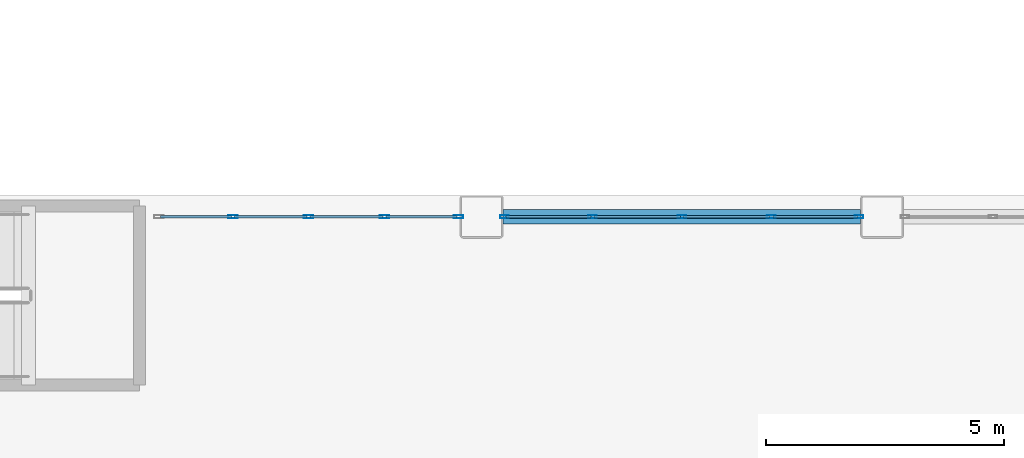
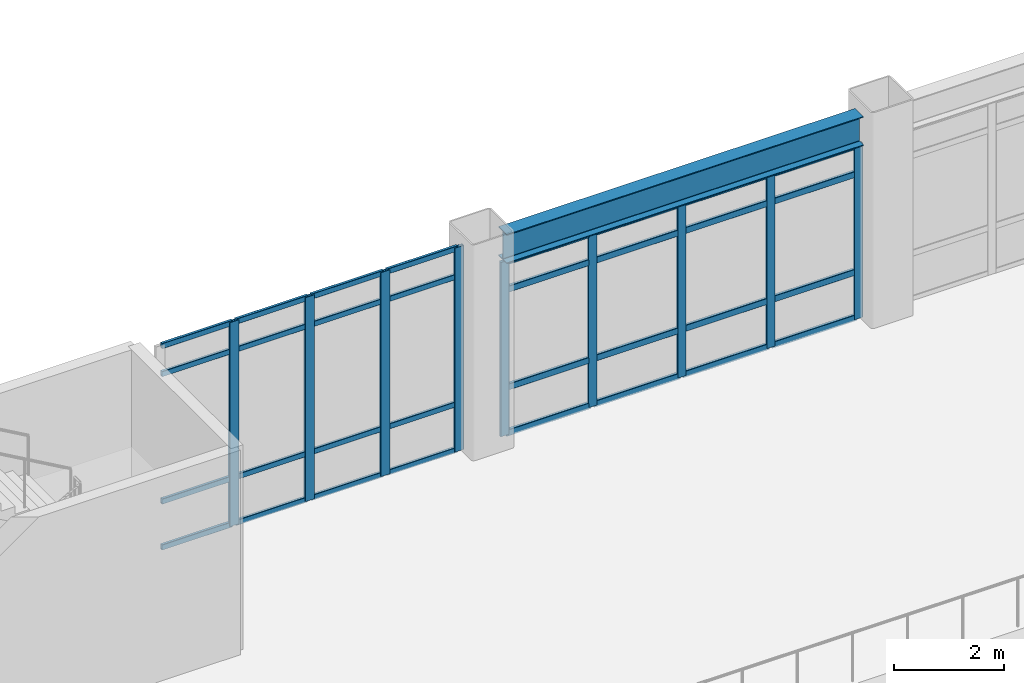
# One storey, part 69 of 172: 41 members, 1 beam, 2 elements without a shape of their own.
"""IFC4 building model written with IfcOpenShell, lengths in metres."""

from ifc_helpers import new_model, si_unit, direction, frame, origin, origin_2d, place, context, subcontext, project, spatial, hollow_rectangle, i_section, extrude, material, layer, layer_set, material_profile, profile_set, type_object, element, aggregate, save


model = new_model("IFC4")

# Units and contexts
model_context = context("Model", 3, precision=1e-05, world=origin(), true_north=direction((0.0, 1.0)))
body_context = subcontext(model_context, "Body", "Model", "MODEL_VIEW")
ifc_project = project(units=[si_unit("LENGTHUNIT", "METRE"), si_unit("AREAUNIT", "SQUARE_METRE"), si_unit("VOLUMEUNIT", "CUBIC_METRE"), si_unit("PLANEANGLEUNIT", "RADIAN"), si_unit("MASSUNIT", "GRAM", prefix="KILO")], contexts=[model_context])

# Site, building, storey
site_placement = place(None, origin())
site = spatial("IfcSite", under=ifc_project, at=site_placement, CompositionType="ELEMENT")
building_placement = place(site_placement, origin())
building = spatial("IfcBuilding", under=site, at=building_placement, Name="Kazehara Bluff Congress Hotel", CompositionType="ELEMENT")
storey_placement = place(building_placement, frame((0.0, 0.0, 5.39990234375)))
storey = spatial("IfcBuildingStorey", under=building, at=storey_placement, Name="L01", CompositionType="ELEMENT", Elevation=5.39990234375)

# Curtain wall, members
ifc_material_1 = material(Name="Anodised aluminium", Category="aluminium")
ifc_layer_1 = layer(ifc_material_1, 0.159912109375)
ifc_layer_set_1 = layer_set([ifc_layer_1], Name="Anodised aluminium")
curtain_wall_type_1 = type_object("IfcCurtainWallType", Name="TP-CW-08", PredefinedType="NOTDEFINED", material=ifc_layer_set_1)
curtain_wall_1_placement = place(storey_placement, origin())
curtain_wall_1 = element("IfcCurtainWall", 1, at=curtain_wall_1_placement, inside=storey, type_object=curtain_wall_type_1, Name="L01 curtain wall CW-08 CW-V1-L01-Y11355-2565", PredefinedType="NOTDEFINED")
ifc_material_2 = material(Name="Anodised aluminium", Category="aluminium")
ifc_material_profile_1 = material_profile(ifc_material_2, hollow_rectangle(XDim=0.06494140625, YDim=0.179931640625, WallThickness=0.00390625, InnerFilletRadius=0.00390625, OuterFilletRadius=0.008056640625, at=origin_2d()))
ifc_profile_set_1 = profile_set([ifc_material_profile_1], Name="Anodised aluminium")
member_type_1 = type_object("IfcMemberType", Name="TP-CWM-02", PredefinedType="MULLION", material=ifc_profile_set_1)
member_1_placement = place(storey_placement, frame((25.6826171875, 113.550048828125, 0.0), z_axis=(0.0, 0.0, 1.0), x_axis=(0.0, 1.0, 0.0)))
member_1 = element("IfcMember", 2, at=member_1_placement, type_object=member_type_1, Name="CW-08 mullion 1", PredefinedType="MULLION", context=body_context, shape_type="SweptSolid", body=[
    extrude(hollow_rectangle(XDim=0.06494140625, YDim=0.179931640625, WallThickness=0.00390625, InnerFilletRadius=0.00390625, OuterFilletRadius=0.008056640625, at=origin_2d()), origin(), (0.0, 0.0, 1.0), 3.875),
])
member_2_placement = place(storey_placement, frame((27.52490234375, 113.550048828125, 0.0), z_axis=(0.0, 0.0, 1.0), x_axis=(0.0, 1.0, 0.0)))
member_2 = element("IfcMember", 3, at=member_2_placement, type_object=member_type_1, Name="CW-08 mullion 2", PredefinedType="MULLION", context=body_context, shape_type="SweptSolid", body=[
    extrude(hollow_rectangle(XDim=0.06494140625, YDim=0.179931640625, WallThickness=0.00390625, InnerFilletRadius=0.00390625, OuterFilletRadius=0.008056640625, at=origin_2d()), origin(), (0.0, 0.0, 1.0), 3.875),
])
member_3_placement = place(storey_placement, frame((29.39990234375, 113.550048828125, 0.0), z_axis=(0.0, 0.0, 1.0), x_axis=(0.0, 1.0, 0.0)))
member_3 = element("IfcMember", 4, at=member_3_placement, type_object=member_type_1, Name="CW-08 mullion 3", PredefinedType="MULLION", context=body_context, shape_type="SweptSolid", body=[
    extrude(hollow_rectangle(XDim=0.06494140625, YDim=0.179931640625, WallThickness=0.00390625, InnerFilletRadius=0.00390625, OuterFilletRadius=0.008056640625, at=origin_2d()), origin(), (0.0, 0.0, 1.0), 3.875),
])
member_4_placement = place(storey_placement, frame((31.27490234375, 113.550048828125, 0.0), z_axis=(0.0, 0.0, 1.0), x_axis=(0.0, 1.0, 0.0)))
member_4 = element("IfcMember", 5, at=member_4_placement, type_object=member_type_1, Name="CW-08 mullion 4", PredefinedType="MULLION", context=body_context, shape_type="SweptSolid", body=[
    extrude(hollow_rectangle(XDim=0.06494140625, YDim=0.179931640625, WallThickness=0.00390625, InnerFilletRadius=0.00390625, OuterFilletRadius=0.008056640625, at=origin_2d()), origin(), (0.0, 0.0, 1.0), 3.875),
])
member_5_placement = place(storey_placement, frame((33.117431640625, 113.550048828125, 0.0), z_axis=(0.0, 0.0, 1.0), x_axis=(0.0, 1.0, 0.0)))
member_5 = element("IfcMember", 6, at=member_5_placement, type_object=member_type_1, Name="CW-08 mullion 5", PredefinedType="MULLION", context=body_context, shape_type="SweptSolid", body=[
    extrude(hollow_rectangle(XDim=0.06494140625, YDim=0.179931640625, WallThickness=0.00390625, InnerFilletRadius=0.00390625, OuterFilletRadius=0.008056640625, at=origin_2d()), origin(), (0.0, 0.0, 1.0), 3.875),
])

ifc_material_3 = material(Name="Anodised aluminium", Category="aluminium")
ifc_layer_2 = layer(ifc_material_3, 0.159912109375)
ifc_layer_set_2 = layer_set([ifc_layer_2], Name="Anodised aluminium")
curtain_wall_type_2 = type_object("IfcCurtainWallType", Name="TP-CW-07", PredefinedType="NOTDEFINED", material=ifc_layer_set_2)
curtain_wall_2_placement = place(storey_placement, origin())
curtain_wall_2 = element("IfcCurtainWall", 7, at=curtain_wall_2_placement, inside=storey, type_object=curtain_wall_type_2, Name="L01 curtain wall CW-07 CW-V1-L01-Y11355-1840", PredefinedType="NOTDEFINED")
ifc_material_4 = material(Name="Anodised aluminium", Category="aluminium")
ifc_material_profile_2 = material_profile(ifc_material_4, hollow_rectangle(XDim=0.070068359375, YDim=0.199951171875, WallThickness=0.0048828125, InnerFilletRadius=0.0048828125, OuterFilletRadius=0.010009765625, at=origin_2d()))
ifc_profile_set_2 = profile_set([ifc_material_profile_2], Name="Anodised aluminium")
member_type_2 = type_object("IfcMemberType", Name="TP-CWM-03", PredefinedType="MULLION", material=ifc_profile_set_2)
member_6_placement = place(storey_placement, frame((19.987548828125, 113.550048828125, 0.0), z_axis=(0.0, 0.0, 1.0), x_axis=(0.0, 1.0, 0.0)))
member_6 = element("IfcMember", 8, at=member_6_placement, type_object=member_type_2, Name="CW-07 mullion 2", PredefinedType="MULLION", context=body_context, shape_type="SweptSolid", body=[
    extrude(hollow_rectangle(XDim=0.070068359375, YDim=0.199951171875, WallThickness=0.0048828125, InnerFilletRadius=0.0048828125, OuterFilletRadius=0.010009765625, at=origin_2d()), origin(), (0.0, 0.0, 1.0), 4.53515625),
])
member_7_placement = place(storey_placement, frame((21.574951171875, 113.550048828125, 0.0), z_axis=(0.0, 0.0, 1.0), x_axis=(0.0, 1.0, 0.0)))
member_7 = element("IfcMember", 9, at=member_7_placement, type_object=member_type_2, Name="CW-07 mullion 3", PredefinedType="MULLION", context=body_context, shape_type="SweptSolid", body=[
    extrude(hollow_rectangle(XDim=0.070068359375, YDim=0.199951171875, WallThickness=0.0048828125, InnerFilletRadius=0.0048828125, OuterFilletRadius=0.010009765625, at=origin_2d()), origin(), (0.0, 0.0, 1.0), 4.53515625),
])
member_8_placement = place(storey_placement, frame((23.16259765625, 113.550048828125, 0.0), z_axis=(0.0, 0.0, 1.0), x_axis=(0.0, 1.0, 0.0)))
member_8 = element("IfcMember", 10, at=member_8_placement, type_object=member_type_2, Name="CW-07 mullion 4", PredefinedType="MULLION", context=body_context, shape_type="SweptSolid", body=[
    extrude(hollow_rectangle(XDim=0.070068359375, YDim=0.199951171875, WallThickness=0.0048828125, InnerFilletRadius=0.0048828125, OuterFilletRadius=0.010009765625, at=origin_2d()), origin(), (0.0, 0.0, 1.0), 4.53515625),
])
member_9_placement = place(storey_placement, frame((24.715087890625, 113.550048828125, 0.0), z_axis=(0.0, 0.0, 1.0), x_axis=(0.0, 1.0, 0.0)))
member_9 = element("IfcMember", 11, at=member_9_placement, type_object=member_type_2, Name="CW-07 mullion 5", PredefinedType="MULLION", context=body_context, shape_type="SweptSolid", body=[
    extrude(hollow_rectangle(XDim=0.070068359375, YDim=0.199951171875, WallThickness=0.0048828125, InnerFilletRadius=0.0048828125, OuterFilletRadius=0.010009765625, at=origin_2d()), origin(), (0.0, 0.0, 1.0), 4.53515625),
])
ifc_material_5 = material(Name="Anodised aluminium", Category="aluminium")
ifc_material_profile_3 = material_profile(ifc_material_5, hollow_rectangle(XDim=0.06005859375, YDim=0.1201171875, WallThickness=0.00390625, InnerFilletRadius=0.00390625, OuterFilletRadius=0.008056640625, at=origin_2d()))
ifc_profile_set_3 = profile_set([ifc_material_profile_3], Name="Anodised aluminium")
member_type_3 = type_object("IfcMemberType", Name="TP-CWT-01", PredefinedType="USERDEFINED", material=ifc_profile_set_3)
member_10_placement = place(storey_placement, frame((18.469970703125, 113.550048828125, 0.030029296875), z_axis=(1.0, 0.0, 0.0), x_axis=(0.0, 1.0, 0.0)))
member_10 = element("IfcMember", 12, at=member_10_placement, type_object=member_type_3, Name="CW-07 transom 1.1", ObjectType="TRANSOM", PredefinedType="USERDEFINED", context=body_context, shape_type="SweptSolid", body=[
    extrude(hollow_rectangle(XDim=0.06005859375, YDim=0.1201171875, WallThickness=0.00390625, InnerFilletRadius=0.00390625, OuterFilletRadius=0.008056640625, at=origin_2d()), origin(), (0.0, 0.0, 1.0), 1.482421875),
])
member_11_placement = place(storey_placement, frame((18.469970703125, 113.550048828125, 1.050048828125), z_axis=(1.0, 0.0, 0.0), x_axis=(0.0, 1.0, 0.0)))
member_11 = element("IfcMember", 13, at=member_11_placement, type_object=member_type_3, Name="CW-07 transom 1.2", ObjectType="TRANSOM", PredefinedType="USERDEFINED", context=body_context, shape_type="SweptSolid", body=[
    extrude(hollow_rectangle(XDim=0.06005859375, YDim=0.1201171875, WallThickness=0.00390625, InnerFilletRadius=0.00390625, OuterFilletRadius=0.008056640625, at=origin_2d()), origin(), (0.0, 0.0, 1.0), 1.482421875),
])
member_12_placement = place(storey_placement, frame((18.469970703125, 113.550048828125, 3.885009765625), z_axis=(1.0, 0.0, 0.0), x_axis=(0.0, 1.0, 0.0)))
member_12 = element("IfcMember", 14, at=member_12_placement, type_object=member_type_3, Name="CW-07 transom 1.3", ObjectType="TRANSOM", PredefinedType="USERDEFINED", context=body_context, shape_type="SweptSolid", body=[
    extrude(hollow_rectangle(XDim=0.06005859375, YDim=0.1201171875, WallThickness=0.00390625, InnerFilletRadius=0.00390625, OuterFilletRadius=0.008056640625, at=origin_2d()), origin(), (0.0, 0.0, 1.0), 1.482421875),
])
member_13_placement = place(storey_placement, frame((18.469970703125, 113.550048828125, 4.505126953125), z_axis=(1.0, 0.0, 0.0), x_axis=(0.0, 1.0, 0.0)))
member_13 = element("IfcMember", 15, at=member_13_placement, type_object=member_type_3, Name="CW-07 transom 1.4", ObjectType="TRANSOM", PredefinedType="USERDEFINED", context=body_context, shape_type="SweptSolid", body=[
    extrude(hollow_rectangle(XDim=0.06005859375, YDim=0.1201171875, WallThickness=0.00390625, InnerFilletRadius=0.00390625, OuterFilletRadius=0.008056640625, at=origin_2d()), origin(), (0.0, 0.0, 1.0), 1.482421875),
])
member_14_placement = place(storey_placement, frame((20.0224609375, 113.550048828125, 0.030029296875), z_axis=(1.0, 0.0, 0.0), x_axis=(0.0, 1.0, 0.0)))
member_14 = element("IfcMember", 16, at=member_14_placement, type_object=member_type_3, Name="CW-07 transom 2.1", ObjectType="TRANSOM", PredefinedType="USERDEFINED", context=body_context, shape_type="SweptSolid", body=[
    extrude(hollow_rectangle(XDim=0.06005859375, YDim=0.1201171875, WallThickness=0.00390625, InnerFilletRadius=0.00390625, OuterFilletRadius=0.008056640625, at=origin_2d()), origin(), (0.0, 0.0, 1.0), 1.517578125),
])
member_15_placement = place(storey_placement, frame((20.0224609375, 113.550048828125, 1.050048828125), z_axis=(1.0, 0.0, 0.0), x_axis=(0.0, 1.0, 0.0)))
member_15 = element("IfcMember", 17, at=member_15_placement, type_object=member_type_3, Name="CW-07 transom 2.2", ObjectType="TRANSOM", PredefinedType="USERDEFINED", context=body_context, shape_type="SweptSolid", body=[
    extrude(hollow_rectangle(XDim=0.06005859375, YDim=0.1201171875, WallThickness=0.00390625, InnerFilletRadius=0.00390625, OuterFilletRadius=0.008056640625, at=origin_2d()), origin(), (0.0, 0.0, 1.0), 1.517578125),
])
member_16_placement = place(storey_placement, frame((20.0224609375, 113.550048828125, 3.885009765625), z_axis=(1.0, 0.0, 0.0), x_axis=(0.0, 1.0, 0.0)))
member_16 = element("IfcMember", 18, at=member_16_placement, type_object=member_type_3, Name="CW-07 transom 2.3", ObjectType="TRANSOM", PredefinedType="USERDEFINED", context=body_context, shape_type="SweptSolid", body=[
    extrude(hollow_rectangle(XDim=0.06005859375, YDim=0.1201171875, WallThickness=0.00390625, InnerFilletRadius=0.00390625, OuterFilletRadius=0.008056640625, at=origin_2d()), origin(), (0.0, 0.0, 1.0), 1.517578125),
])
member_17_placement = place(storey_placement, frame((20.0224609375, 113.550048828125, 4.505126953125), z_axis=(1.0, 0.0, 0.0), x_axis=(0.0, 1.0, 0.0)))
member_17 = element("IfcMember", 19, at=member_17_placement, type_object=member_type_3, Name="CW-07 transom 2.4", ObjectType="TRANSOM", PredefinedType="USERDEFINED", context=body_context, shape_type="SweptSolid", body=[
    extrude(hollow_rectangle(XDim=0.06005859375, YDim=0.1201171875, WallThickness=0.00390625, InnerFilletRadius=0.00390625, OuterFilletRadius=0.008056640625, at=origin_2d()), origin(), (0.0, 0.0, 1.0), 1.517578125),
])
member_18_placement = place(storey_placement, frame((21.610107421875, 113.550048828125, 0.030029296875), z_axis=(1.0, 0.0, 0.0), x_axis=(0.0, 1.0, 0.0)))
member_18 = element("IfcMember", 20, at=member_18_placement, type_object=member_type_3, Name="CW-07 transom 3.1", ObjectType="TRANSOM", PredefinedType="USERDEFINED", context=body_context, shape_type="SweptSolid", body=[
    extrude(hollow_rectangle(XDim=0.06005859375, YDim=0.1201171875, WallThickness=0.00390625, InnerFilletRadius=0.00390625, OuterFilletRadius=0.008056640625, at=origin_2d()), origin(), (0.0, 0.0, 1.0), 1.517333984375),
])
member_19_placement = place(storey_placement, frame((21.610107421875, 113.550048828125, 1.050048828125), z_axis=(1.0, 0.0, 0.0), x_axis=(0.0, 1.0, 0.0)))
member_19 = element("IfcMember", 21, at=member_19_placement, type_object=member_type_3, Name="CW-07 transom 3.2", ObjectType="TRANSOM", PredefinedType="USERDEFINED", context=body_context, shape_type="SweptSolid", body=[
    extrude(hollow_rectangle(XDim=0.06005859375, YDim=0.1201171875, WallThickness=0.00390625, InnerFilletRadius=0.00390625, OuterFilletRadius=0.008056640625, at=origin_2d()), origin(), (0.0, 0.0, 1.0), 1.517333984375),
])
member_20_placement = place(storey_placement, frame((21.610107421875, 113.550048828125, 3.885009765625), z_axis=(1.0, 0.0, 0.0), x_axis=(0.0, 1.0, 0.0)))
member_20 = element("IfcMember", 22, at=member_20_placement, type_object=member_type_3, Name="CW-07 transom 3.3", ObjectType="TRANSOM", PredefinedType="USERDEFINED", context=body_context, shape_type="SweptSolid", body=[
    extrude(hollow_rectangle(XDim=0.06005859375, YDim=0.1201171875, WallThickness=0.00390625, InnerFilletRadius=0.00390625, OuterFilletRadius=0.008056640625, at=origin_2d()), origin(), (0.0, 0.0, 1.0), 1.517333984375),
])
member_21_placement = place(storey_placement, frame((21.610107421875, 113.550048828125, 4.505126953125), z_axis=(1.0, 0.0, 0.0), x_axis=(0.0, 1.0, 0.0)))
member_21 = element("IfcMember", 23, at=member_21_placement, type_object=member_type_3, Name="CW-07 transom 3.4", ObjectType="TRANSOM", PredefinedType="USERDEFINED", context=body_context, shape_type="SweptSolid", body=[
    extrude(hollow_rectangle(XDim=0.06005859375, YDim=0.1201171875, WallThickness=0.00390625, InnerFilletRadius=0.00390625, OuterFilletRadius=0.008056640625, at=origin_2d()), origin(), (0.0, 0.0, 1.0), 1.517333984375),
])
member_22_placement = place(storey_placement, frame((23.197509765625, 113.550048828125, 0.030029296875), z_axis=(1.0, 0.0, 0.0), x_axis=(0.0, 1.0, 0.0)))
member_22 = element("IfcMember", 24, at=member_22_placement, type_object=member_type_3, Name="CW-07 transom 4.1", ObjectType="TRANSOM", PredefinedType="USERDEFINED", context=body_context, shape_type="SweptSolid", body=[
    extrude(hollow_rectangle(XDim=0.06005859375, YDim=0.1201171875, WallThickness=0.00390625, InnerFilletRadius=0.00390625, OuterFilletRadius=0.008056640625, at=origin_2d()), origin(), (0.0, 0.0, 1.0), 1.482421875),
])
member_23_placement = place(storey_placement, frame((23.197509765625, 113.550048828125, 1.050048828125), z_axis=(1.0, 0.0, 0.0), x_axis=(0.0, 1.0, 0.0)))
member_23 = element("IfcMember", 25, at=member_23_placement, type_object=member_type_3, Name="CW-07 transom 4.2", ObjectType="TRANSOM", PredefinedType="USERDEFINED", context=body_context, shape_type="SweptSolid", body=[
    extrude(hollow_rectangle(XDim=0.06005859375, YDim=0.1201171875, WallThickness=0.00390625, InnerFilletRadius=0.00390625, OuterFilletRadius=0.008056640625, at=origin_2d()), origin(), (0.0, 0.0, 1.0), 1.482421875),
])
member_24_placement = place(storey_placement, frame((23.197509765625, 113.550048828125, 3.885009765625), z_axis=(1.0, 0.0, 0.0), x_axis=(0.0, 1.0, 0.0)))
member_24 = element("IfcMember", 26, at=member_24_placement, type_object=member_type_3, Name="CW-07 transom 4.3", ObjectType="TRANSOM", PredefinedType="USERDEFINED", context=body_context, shape_type="SweptSolid", body=[
    extrude(hollow_rectangle(XDim=0.06005859375, YDim=0.1201171875, WallThickness=0.00390625, InnerFilletRadius=0.00390625, OuterFilletRadius=0.008056640625, at=origin_2d()), origin(), (0.0, 0.0, 1.0), 1.482421875),
])
member_25_placement = place(storey_placement, frame((23.197509765625, 113.550048828125, 4.505126953125), z_axis=(1.0, 0.0, 0.0), x_axis=(0.0, 1.0, 0.0)))
member_25 = element("IfcMember", 27, at=member_25_placement, type_object=member_type_3, Name="CW-07 transom 4.4", ObjectType="TRANSOM", PredefinedType="USERDEFINED", context=body_context, shape_type="SweptSolid", body=[
    extrude(hollow_rectangle(XDim=0.06005859375, YDim=0.1201171875, WallThickness=0.00390625, InnerFilletRadius=0.00390625, OuterFilletRadius=0.008056640625, at=origin_2d()), origin(), (0.0, 0.0, 1.0), 1.482421875),
])
aggregate(curtain_wall_2, [member_6, member_7, member_8, member_9, member_10, member_11, member_12, member_13, member_14, member_15, member_16, member_17, member_18, member_19, member_20, member_21, member_22, member_23, member_24, member_25])

# Member
ifc_material_6 = material(Name="Anodised aluminium", Category="aluminium")
ifc_material_profile_4 = material_profile(ifc_material_6, hollow_rectangle(XDim=0.06494140625, YDim=0.139892578125, WallThickness=0.00390625, InnerFilletRadius=0.00390625, OuterFilletRadius=0.008056640625, at=origin_2d()))
ifc_profile_set_4 = profile_set([ifc_material_profile_4], Name="Anodised aluminium")
member_type_4 = type_object("IfcMemberType", Name="TP-CWT-02", PredefinedType="USERDEFINED", material=ifc_profile_set_4)
member_26_placement = place(storey_placement, frame((25.715087890625, 113.550048828125, 0.03271484375), z_axis=(1.0, 0.0, 0.0), x_axis=(0.0, 1.0, 0.0)))
member_26 = element("IfcMember", 28, at=member_26_placement, type_object=member_type_4, Name="CW-08 transom 1.1", ObjectType="TRANSOM", PredefinedType="USERDEFINED", context=body_context, shape_type="SweptSolid", body=[
    extrude(hollow_rectangle(XDim=0.06494140625, YDim=0.139892578125, WallThickness=0.00390625, InnerFilletRadius=0.00390625, OuterFilletRadius=0.008056640625, at=origin_2d()), origin(), (0.0, 0.0, 1.0), 1.77734375),
])

member_27_placement = place(storey_placement, frame((25.715087890625, 113.550048828125, 1.050048828125), z_axis=(1.0, 0.0, 0.0), x_axis=(0.0, 1.0, 0.0)))
member_27 = element("IfcMember", 29, at=member_27_placement, type_object=member_type_4, Name="CW-08 transom 1.2", ObjectType="TRANSOM", PredefinedType="USERDEFINED", context=body_context, shape_type="SweptSolid", body=[
    extrude(hollow_rectangle(XDim=0.06494140625, YDim=0.139892578125, WallThickness=0.00390625, InnerFilletRadius=0.00390625, OuterFilletRadius=0.008056640625, at=origin_2d()), origin(), (0.0, 0.0, 1.0), 1.77734375),
])

member_28_placement = place(storey_placement, frame((25.715087890625, 113.550048828125, 3.22509765625), z_axis=(1.0, 0.0, 0.0), x_axis=(0.0, 1.0, 0.0)))
member_28 = element("IfcMember", 30, at=member_28_placement, type_object=member_type_4, Name="CW-08 transom 1.3", ObjectType="TRANSOM", PredefinedType="USERDEFINED", context=body_context, shape_type="SweptSolid", body=[
    extrude(hollow_rectangle(XDim=0.06494140625, YDim=0.139892578125, WallThickness=0.00390625, InnerFilletRadius=0.00390625, OuterFilletRadius=0.008056640625, at=origin_2d()), origin(), (0.0, 0.0, 1.0), 1.77734375),
])

member_29_placement = place(storey_placement, frame((25.715087890625, 113.550048828125, 3.842529296875), z_axis=(1.0, 0.0, 0.0), x_axis=(0.0, 1.0, 0.0)))
member_29 = element("IfcMember", 31, at=member_29_placement, type_object=member_type_4, Name="CW-08 transom 1.4", ObjectType="TRANSOM", PredefinedType="USERDEFINED", context=body_context, shape_type="SweptSolid", body=[
    extrude(hollow_rectangle(XDim=0.06494140625, YDim=0.139892578125, WallThickness=0.00390625, InnerFilletRadius=0.00390625, OuterFilletRadius=0.008056640625, at=origin_2d()), origin(), (0.0, 0.0, 1.0), 1.77734375),
])

member_30_placement = place(storey_placement, frame((27.5576171875, 113.550048828125, 0.03271484375), z_axis=(1.0, 0.0, 0.0), x_axis=(0.0, 1.0, 0.0)))
member_30 = element("IfcMember", 32, at=member_30_placement, type_object=member_type_4, Name="CW-08 transom 2.1", ObjectType="TRANSOM", PredefinedType="USERDEFINED", context=body_context, shape_type="SweptSolid", body=[
    extrude(hollow_rectangle(XDim=0.06494140625, YDim=0.139892578125, WallThickness=0.00390625, InnerFilletRadius=0.00390625, OuterFilletRadius=0.008056640625, at=origin_2d()), origin(), (0.0, 0.0, 1.0), 1.809814453125),
])

member_31_placement = place(storey_placement, frame((27.5576171875, 113.550048828125, 1.050048828125), z_axis=(1.0, 0.0, 0.0), x_axis=(0.0, 1.0, 0.0)))
member_31 = element("IfcMember", 33, at=member_31_placement, type_object=member_type_4, Name="CW-08 transom 2.2", ObjectType="TRANSOM", PredefinedType="USERDEFINED", context=body_context, shape_type="SweptSolid", body=[
    extrude(hollow_rectangle(XDim=0.06494140625, YDim=0.139892578125, WallThickness=0.00390625, InnerFilletRadius=0.00390625, OuterFilletRadius=0.008056640625, at=origin_2d()), origin(), (0.0, 0.0, 1.0), 1.809814453125),
])

member_32_placement = place(storey_placement, frame((27.5576171875, 113.550048828125, 3.22509765625), z_axis=(1.0, 0.0, 0.0), x_axis=(0.0, 1.0, 0.0)))
member_32 = element("IfcMember", 34, at=member_32_placement, type_object=member_type_4, Name="CW-08 transom 2.3", ObjectType="TRANSOM", PredefinedType="USERDEFINED", context=body_context, shape_type="SweptSolid", body=[
    extrude(hollow_rectangle(XDim=0.06494140625, YDim=0.139892578125, WallThickness=0.00390625, InnerFilletRadius=0.00390625, OuterFilletRadius=0.008056640625, at=origin_2d()), origin(), (0.0, 0.0, 1.0), 1.809814453125),
])

member_33_placement = place(storey_placement, frame((27.5576171875, 113.550048828125, 3.842529296875), z_axis=(1.0, 0.0, 0.0), x_axis=(0.0, 1.0, 0.0)))
member_33 = element("IfcMember", 35, at=member_33_placement, type_object=member_type_4, Name="CW-08 transom 2.4", ObjectType="TRANSOM", PredefinedType="USERDEFINED", context=body_context, shape_type="SweptSolid", body=[
    extrude(hollow_rectangle(XDim=0.06494140625, YDim=0.139892578125, WallThickness=0.00390625, InnerFilletRadius=0.00390625, OuterFilletRadius=0.008056640625, at=origin_2d()), origin(), (0.0, 0.0, 1.0), 1.809814453125),
])

member_34_placement = place(storey_placement, frame((29.4326171875, 113.550048828125, 0.03271484375), z_axis=(1.0, 0.0, 0.0), x_axis=(0.0, 1.0, 0.0)))
member_34 = element("IfcMember", 36, at=member_34_placement, type_object=member_type_4, Name="CW-08 transom 3.1", ObjectType="TRANSOM", PredefinedType="USERDEFINED", context=body_context, shape_type="SweptSolid", body=[
    extrude(hollow_rectangle(XDim=0.06494140625, YDim=0.139892578125, WallThickness=0.00390625, InnerFilletRadius=0.00390625, OuterFilletRadius=0.008056640625, at=origin_2d()), origin(), (0.0, 0.0, 1.0), 1.809814453125),
])

member_35_placement = place(storey_placement, frame((29.4326171875, 113.550048828125, 1.050048828125), z_axis=(1.0, 0.0, 0.0), x_axis=(0.0, 1.0, 0.0)))
member_35 = element("IfcMember", 37, at=member_35_placement, type_object=member_type_4, Name="CW-08 transom 3.2", ObjectType="TRANSOM", PredefinedType="USERDEFINED", context=body_context, shape_type="SweptSolid", body=[
    extrude(hollow_rectangle(XDim=0.06494140625, YDim=0.139892578125, WallThickness=0.00390625, InnerFilletRadius=0.00390625, OuterFilletRadius=0.008056640625, at=origin_2d()), origin(), (0.0, 0.0, 1.0), 1.809814453125),
])

member_36_placement = place(storey_placement, frame((29.4326171875, 113.550048828125, 3.22509765625), z_axis=(1.0, 0.0, 0.0), x_axis=(0.0, 1.0, 0.0)))
member_36 = element("IfcMember", 38, at=member_36_placement, type_object=member_type_4, Name="CW-08 transom 3.3", ObjectType="TRANSOM", PredefinedType="USERDEFINED", context=body_context, shape_type="SweptSolid", body=[
    extrude(hollow_rectangle(XDim=0.06494140625, YDim=0.139892578125, WallThickness=0.00390625, InnerFilletRadius=0.00390625, OuterFilletRadius=0.008056640625, at=origin_2d()), origin(), (0.0, 0.0, 1.0), 1.809814453125),
])

member_37_placement = place(storey_placement, frame((29.4326171875, 113.550048828125, 3.842529296875), z_axis=(1.0, 0.0, 0.0), x_axis=(0.0, 1.0, 0.0)))
member_37 = element("IfcMember", 39, at=member_37_placement, type_object=member_type_4, Name="CW-08 transom 3.4", ObjectType="TRANSOM", PredefinedType="USERDEFINED", context=body_context, shape_type="SweptSolid", body=[
    extrude(hollow_rectangle(XDim=0.06494140625, YDim=0.139892578125, WallThickness=0.00390625, InnerFilletRadius=0.00390625, OuterFilletRadius=0.008056640625, at=origin_2d()), origin(), (0.0, 0.0, 1.0), 1.809814453125),
])

member_38_placement = place(storey_placement, frame((31.3076171875, 113.550048828125, 0.03271484375), z_axis=(1.0, 0.0, 0.0), x_axis=(0.0, 1.0, 0.0)))
member_38 = element("IfcMember", 40, at=member_38_placement, type_object=member_type_4, Name="CW-08 transom 4.1", ObjectType="TRANSOM", PredefinedType="USERDEFINED", context=body_context, shape_type="SweptSolid", body=[
    extrude(hollow_rectangle(XDim=0.06494140625, YDim=0.139892578125, WallThickness=0.00390625, InnerFilletRadius=0.00390625, OuterFilletRadius=0.008056640625, at=origin_2d()), origin(), (0.0, 0.0, 1.0), 1.77734375),
])

member_39_placement = place(storey_placement, frame((31.3076171875, 113.550048828125, 1.050048828125), z_axis=(1.0, 0.0, 0.0), x_axis=(0.0, 1.0, 0.0)))
member_39 = element("IfcMember", 41, at=member_39_placement, type_object=member_type_4, Name="CW-08 transom 4.2", ObjectType="TRANSOM", PredefinedType="USERDEFINED", context=body_context, shape_type="SweptSolid", body=[
    extrude(hollow_rectangle(XDim=0.06494140625, YDim=0.139892578125, WallThickness=0.00390625, InnerFilletRadius=0.00390625, OuterFilletRadius=0.008056640625, at=origin_2d()), origin(), (0.0, 0.0, 1.0), 1.77734375),
])

member_40_placement = place(storey_placement, frame((31.3076171875, 113.550048828125, 3.22509765625), z_axis=(1.0, 0.0, 0.0), x_axis=(0.0, 1.0, 0.0)))
member_40 = element("IfcMember", 42, at=member_40_placement, type_object=member_type_4, Name="CW-08 transom 4.3", ObjectType="TRANSOM", PredefinedType="USERDEFINED", context=body_context, shape_type="SweptSolid", body=[
    extrude(hollow_rectangle(XDim=0.06494140625, YDim=0.139892578125, WallThickness=0.00390625, InnerFilletRadius=0.00390625, OuterFilletRadius=0.008056640625, at=origin_2d()), origin(), (0.0, 0.0, 1.0), 1.77734375),
])

member_41_placement = place(storey_placement, frame((31.3076171875, 113.550048828125, 3.842529296875), z_axis=(1.0, 0.0, 0.0), x_axis=(0.0, 1.0, 0.0)))
member_41 = element("IfcMember", 43, at=member_41_placement, type_object=member_type_4, Name="CW-08 transom 4.4", ObjectType="TRANSOM", PredefinedType="USERDEFINED", context=body_context, shape_type="SweptSolid", body=[
    extrude(hollow_rectangle(XDim=0.06494140625, YDim=0.139892578125, WallThickness=0.00390625, InnerFilletRadius=0.00390625, OuterFilletRadius=0.008056640625, at=origin_2d()), origin(), (0.0, 0.0, 1.0), 1.77734375),
])

aggregate(curtain_wall_1, [member_1, member_2, member_3, member_4, member_5, member_26, member_27, member_28, member_29, member_30, member_31, member_32, member_33, member_34, member_35, member_36, member_37, member_38, member_39, member_40, member_41])

# Beam
ifc_material_7 = material(Name="Steel SN490B", Category="steel")
ifc_material_profile_5 = material_profile(ifc_material_7, i_section(OverallWidth=0.300048828125, OverallDepth=0.64990234375, WebThickness=0.011962890625, FlangeThickness=0.02001953125, FilletRadius=0.012939453125, at=origin_2d()))
ifc_profile_set_5 = profile_set([ifc_material_profile_5], Name="Steel SN490B")
beam_type = type_object("IfcBeamType", Name="TP-G-03", PredefinedType="BEAM", material=ifc_profile_set_5)
beam_placement = place(storey_placement, frame((25.64990234375, 113.550048828125, 4.22509765625), z_axis=(1.0, 0.0, 0.0), x_axis=(0.0, 1.0, 0.0)))
element("IfcBeam", 44, at=beam_placement, inside=storey, type_object=beam_type, Name="L01 girder G-03 39", PredefinedType="BEAM", context=body_context, shape_type="SweptSolid", body=[
    extrude(i_section(OverallWidth=0.300048828125, OverallDepth=0.64990234375, WebThickness=0.011962890625, FlangeThickness=0.02001953125, FilletRadius=0.012939453125, at=origin_2d()), origin(), (0.0, 0.0, 1.0), 7.5),
])

save(model, "model.ifc")
